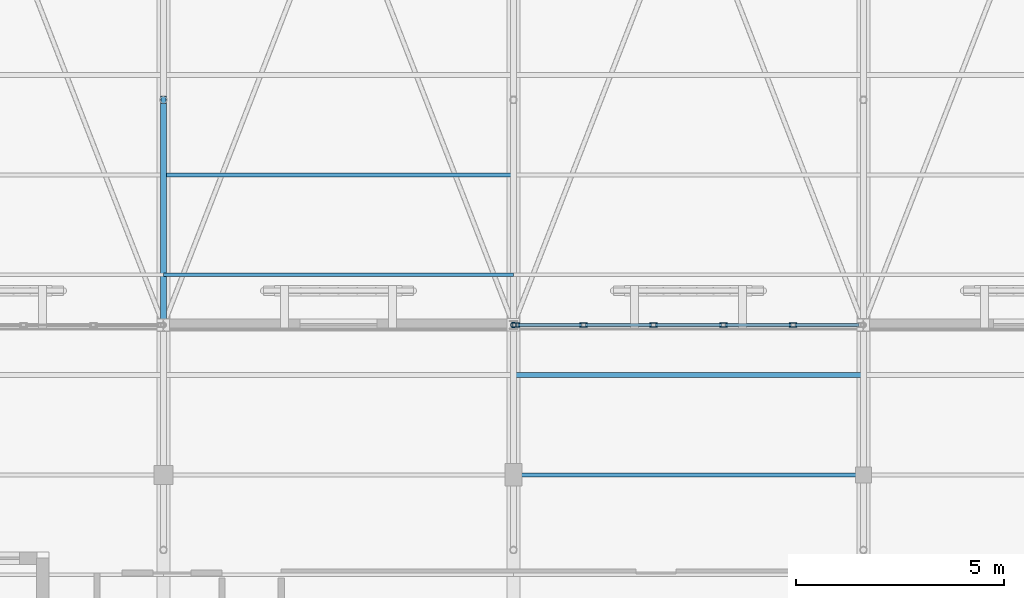
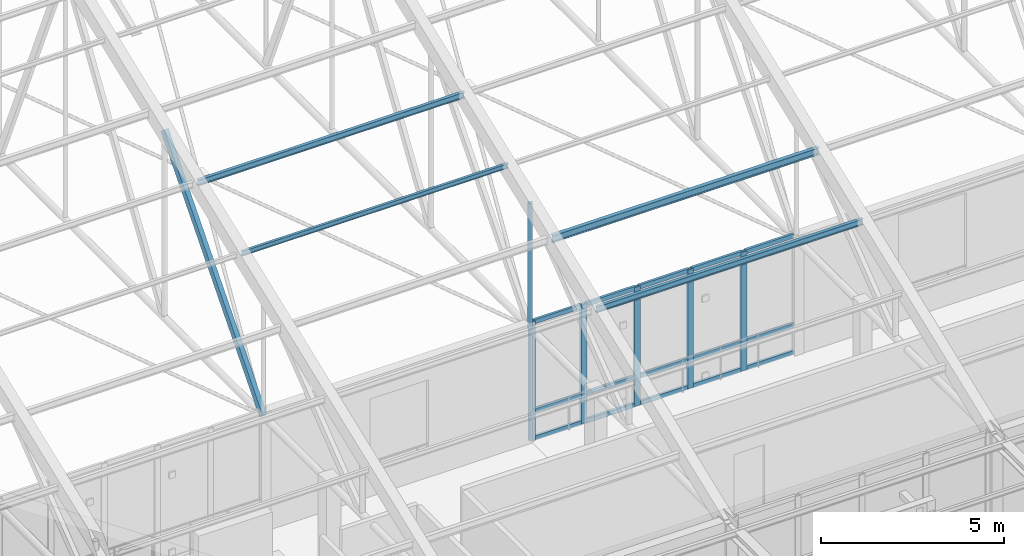
# One storey, part 90 of 217: 26 members, 1 element without a shape of its own.
"""IFC4 building model written with IfcOpenShell, lengths in metres."""

import ifcopenshell
import ifcopenshell.guid

model = None  # the IFC model being written
_history = None  # IfcOwnerHistory: only IFC2X3 demands one
_inside = {}  # id of a spatial element -> (the spatial element, [elements in it])
_under = {}  # id of a project, library or spatial element -> (it, [spatial elements below it])
_declared = {}  # id of a project -> (the project, [libraries it declares])
_typed = {}  # id of a type object -> (the type object, [elements of that type])
_made_of = {}  # id of a material, layer set ... -> (it, [elements and type objects made of it])


def new_model(schema):
    """Start an empty IFC model of exactly this schema.

    Asked for "IFC4X3", IfcOpenShell would pick the latest addendum, in which some entities
    have other attributes; the version numbers below select the first issue.
    IFC2X3 requires an IfcOwnerHistory on every rooted entity: one is made here for all.
    """
    global model, _history
    if schema == "IFC4X3":
        model = ifcopenshell.file(schema_version=(4, 3, 0, 0))
    else:
        model = ifcopenshell.file(schema=schema)
    _inside.clear()
    _under.clear()
    _declared.clear()
    _typed.clear()
    _made_of.clear()
    _history = None
    if model.schema == "IFC2X3":
        org = make("IfcOrganization", Name="unknown")
        user = make(
            "IfcPersonAndOrganization",
            ThePerson=make("IfcPerson", FamilyName="unknown"),
            TheOrganization=org,
        )
        app = make(
            "IfcApplication",
            ApplicationDeveloper=org,
            Version="unknown",
            ApplicationFullName="unknown",
            ApplicationIdentifier="unknown",
        )
        _history = make(
            "IfcOwnerHistory",
            OwningUser=user,
            OwningApplication=app,
            ChangeAction="ADDED",
            CreationDate=0,
        )
    return model


def make(cls, **values):
    """One entity of the class cls with the attributes given. An attribute that is None is left unset."""
    return model.create_entity(
        cls, **{name: value for name, value in values.items() if value is not None}
    )


def rooted(cls, **values):
    """An entity with a GlobalId (a new one), such as an element, a storey or a relation."""
    return make(cls, GlobalId=ifcopenshell.guid.new(), OwnerHistory=_history, **values)


def si_unit(unit_type, name, prefix=None):
    """IfcSIUnit, for example si_unit("LENGTHUNIT", "METRE", prefix="MILLI")."""
    return make("IfcSIUnit", UnitType=unit_type, Prefix=prefix, Name=name)


def assignment(units):
    """IfcUnitAssignment: the units of a project."""
    return None if units is None else make("IfcUnitAssignment", Units=units)


def point(xyz):
    """IfcCartesianPoint."""
    return None if xyz is None else make("IfcCartesianPoint", Coordinates=xyz)


def direction(xyz):
    """IfcDirection."""
    return None if xyz is None else make("IfcDirection", DirectionRatios=xyz)


def frame(location, z_axis=None, x_axis=None):
    """IfcAxis2Placement3D, a coordinate frame: its origin and axes. An axis left out is left unset."""
    return make(
        "IfcAxis2Placement3D",
        Location=point(location),
        Axis=direction(z_axis),
        RefDirection=direction(x_axis),
    )


def frame_2d(location, x_axis=None):
    """IfcAxis2Placement2D, a coordinate frame in the plane: its origin and x axis."""
    return make(
        "IfcAxis2Placement2D", Location=point(location), RefDirection=direction(x_axis)
    )


def origin():
    """The frame at (0, 0, 0) with its axes left unset."""
    return frame((0.0, 0.0, 0.0))


def origin_2d():
    """The frame at (0, 0) in the plane with its x axis left unset."""
    return frame_2d((0.0, 0.0))


def place(relative_to, where):
    """IfcLocalPlacement: puts the frame where relative to a parent placement (None: the world)."""
    return make(
        "IfcLocalPlacement", PlacementRelTo=relative_to, RelativePlacement=where
    )


def context(
    kind, dimensions, precision=None, world=None, true_north=None, identifier=None
):
    """IfcGeometricRepresentationContext, for example the 3D "Model" context."""
    return make(
        "IfcGeometricRepresentationContext",
        ContextIdentifier=identifier,
        ContextType=kind,
        CoordinateSpaceDimension=dimensions,
        Precision=precision,
        WorldCoordinateSystem=world,
        TrueNorth=true_north,
    )


def subcontext(parent, identifier, kind, view, scale=None):
    """IfcGeometricRepresentationSubContext, for example "Body" below "Model"."""
    return make(
        "IfcGeometricRepresentationSubContext",
        ContextIdentifier=identifier,
        ContextType=kind,
        ParentContext=parent,
        TargetScale=scale,
        TargetView=view,
    )


def project(units=None, contexts=None):
    """IfcProject with its units and contexts."""
    return rooted(
        "IfcProject",
        Name="project",
        RepresentationContexts=contexts,
        UnitsInContext=assignment(units),
    )


def spatial(cls, under=None, at=None, **own):
    """A site, building, storey or space (cls), placed at a placement, below another one or the project."""
    s = rooted(cls, ObjectPlacement=at, **own)
    if under is not None:
        _under.setdefault(under.id(), (under, []))[1].append(s)
    return s


def profile(cls, at=None, kind="AREA", **sizes):
    """A parametric profile (cls). Its sizes go by their IFC names, for example OverallWidth=200.0."""
    return make(cls, ProfileType=kind, Position=at, **sizes)


def hollow_rectangle(**sizes):
    """IfcRectangleHollowProfileDef."""
    return profile("IfcRectangleHollowProfileDef", **sizes)


def hollow_circle(**sizes):
    """IfcCircleHollowProfileDef."""
    return profile("IfcCircleHollowProfileDef", **sizes)


def i_section(**sizes):
    """IfcIShapeProfileDef."""
    return profile("IfcIShapeProfileDef", **sizes)


def extrude(swept, where, along, depth):
    """IfcExtrudedAreaSolid: the profile swept, set in the frame where, extruded along a direction by depth."""
    return make(
        "IfcExtrudedAreaSolid",
        SweptArea=swept,
        Position=where,
        ExtrudedDirection=direction(along),
        Depth=depth,
    )


def shape(context_of_items, identifier, shape_type, items):
    """IfcShapeRepresentation: the items that make up one representation, for example the "Body"."""
    return make(
        "IfcShapeRepresentation",
        ContextOfItems=context_of_items,
        RepresentationIdentifier=identifier,
        RepresentationType=shape_type,
        Items=items,
    )


def material(Name=None, Category=None):
    """IfcMaterial."""
    return make("IfcMaterial", Name=Name, Category=Category)


def layer(
    of_material, thickness, ventilated=None, Name=None, Category=None, Priority=None
):
    """IfcMaterialLayer: one layer of a wall or slab, of a material (None: an air gap)."""
    return make(
        "IfcMaterialLayer",
        Material=of_material,
        LayerThickness=thickness,
        IsVentilated=ventilated,
        Name=Name,
        Category=Category,
        Priority=Priority,
    )


def layer_set(layers, Name=None):
    """IfcMaterialLayerSet."""
    return make("IfcMaterialLayerSet", MaterialLayers=layers, LayerSetName=Name)


def material_profile(
    of_material, cross_section, Name=None, Category=None, Priority=None
):
    """IfcMaterialProfile: a cross section and its material."""
    return make(
        "IfcMaterialProfile",
        Name=Name,
        Material=of_material,
        Profile=cross_section,
        Priority=Priority,
        Category=Category,
    )


def profile_set(profiles, Name=None, composite=None):
    """IfcMaterialProfileSet."""
    return make(
        "IfcMaterialProfileSet",
        Name=Name,
        MaterialProfiles=profiles,
        CompositeProfile=composite,
    )


def made_of(thing, what):
    """Note that an element or type object is made of a material, layer set ...; save() writes the relation."""
    if what is not None:
        _made_of.setdefault(what.id(), (what, []))[1].append(thing)
    return thing


def type_object(cls, material=None, **own):
    """A type object (cls), such as IfcWallType, which elements share."""
    return made_of(rooted(cls, **own), material)


def element(
    cls,
    number,
    at=None,
    inside=None,
    cuts=None,
    type_object=None,
    material=None,
    context=None,
    identifier="Body",
    shape_type=None,
    held_by="IfcProductDefinitionShape",
    body=None,
    shapes=None,
    **own,
):
    """One element of the class cls, such as IfcWall. Its Tag is "e" and its number.

    at: its placement. inside: the storey or other place that contains it. cuts: it is an
    opening in that element (IfcRelVoidsElement). A single representation is given by context,
    identifier, shape_type and body (its items); several are given by shapes. held_by: the class
    of the entity that holds the representations. save() writes the other relations.
    """
    e = rooted(cls, Tag="e%d" % number, ObjectPlacement=at, **own)
    if body is not None:
        shapes = [shape(context, identifier, shape_type, body)]
    if shapes is not None:
        e.Representation = make(held_by, Representations=shapes)
    if inside is not None:
        _inside.setdefault(inside.id(), (inside, []))[1].append(e)
    if cuts is not None:
        rooted(
            "IfcRelVoidsElement", RelatingBuildingElement=cuts, RelatedOpeningElement=e
        )
    if type_object is not None:
        _typed.setdefault(type_object.id(), (type_object, []))[1].append(e)
    return made_of(e, material)


def aggregate(whole, parts):
    """IfcRelAggregates: a whole, such as a stair, and the parts it consists of."""
    return rooted("IfcRelAggregates", RelatingObject=whole, RelatedObjects=parts)


def save(model, path):
    """Write the relations noted so far, then the file.

    IfcRelAggregates (storeys below a building ...), IfcRelContainedInSpatialStructure (elements
    in a storey), IfcRelDefinesByType, IfcRelAssociatesMaterial and IfcRelDeclares: one each for
    every whole, place, type object, material and project.
    """
    for whole, parts in _under.values():
        aggregate(whole, parts)
    for where, things in _inside.values():
        rooted(
            "IfcRelContainedInSpatialStructure",
            RelatedElements=things,
            RelatingStructure=where,
        )
    for kind, things in _typed.values():
        rooted("IfcRelDefinesByType", RelatedObjects=things, RelatingType=kind)
    for what, things in _made_of.values():
        rooted("IfcRelAssociatesMaterial", RelatedObjects=things, RelatingMaterial=what)
    for by, libraries in _declared.values():
        rooted("IfcRelDeclares", RelatingContext=by, RelatedDefinitions=libraries)
    model.write(path)


model = new_model("IFC4")

# Units and contexts
model_context = context("Model", 3, precision=1e-05, world=origin(), true_north=direction((0.0, 1.0)))
body_context = subcontext(model_context, "Body", "Model", "MODEL_VIEW")
ifc_project = project(units=[si_unit("LENGTHUNIT", "METRE"), si_unit("AREAUNIT", "SQUARE_METRE"), si_unit("VOLUMEUNIT", "CUBIC_METRE"), si_unit("PLANEANGLEUNIT", "RADIAN"), si_unit("MASSUNIT", "GRAM", prefix="KILO")], contexts=[model_context])

# Site, building, storey
site_placement = place(None, origin())
site = spatial("IfcSite", under=ifc_project, at=site_placement, CompositionType="ELEMENT")
building_placement = place(site_placement, origin())
building = spatial("IfcBuilding", under=site, at=building_placement, Name="Mazaris Harbour Polytechnic", CompositionType="ELEMENT")
storey_placement = place(building_placement, frame((0.0, 0.0, 9.60009765625)))
storey = spatial("IfcBuildingStorey", under=building, at=storey_placement, Name="L02", CompositionType="ELEMENT", Elevation=9.60009765625)

# Curtain wall, members
ifc_material_1 = material(Name="Anodised Bronze Aluminium and Low-E Glass", Category="aluminium")
ifc_layer = layer(ifc_material_1, 0.14990234375, Name="Anodised Bronze Aluminium and Low-E Glass")
ifc_layer_set = layer_set([ifc_layer], Name="Anodised Bronze Aluminium and Low-E Glass")
curtain_wall_type = type_object("IfcCurtainWallType", Name="Workshop Clerestory Curtain Wall", PredefinedType="NOTDEFINED", material=ifc_layer_set)
curtain_wall_placement = place(storey_placement, origin())
curtain_wall = element("IfcCurtainWall", 1, at=curtain_wall_placement, inside=storey, type_object=curtain_wall_type, Name="V1 L02 Curtain Wall 31", PredefinedType="NOTDEFINED")
ifc_material_2 = material(Name="Anodised Bronze Steel S355", Category="steel")
ifc_material_profile_1 = material_profile(ifc_material_2, hollow_rectangle(XDim=0.10009765625, YDim=0.179931640625, WallThickness=0.008056640625, at=origin_2d()), Name="RHS 100x180x8.0")
ifc_profile_set_1 = profile_set([ifc_material_profile_1], Name="Anodised Bronze Steel S355")
member_type_1 = type_object("IfcMemberType", Name="Curtain Mullion RHS100x180", PredefinedType="MULLION", material=ifc_profile_set_1)
member_1_placement = place(storey_placement, frame((87.657958984375, 86.39990234375, 0.0), z_axis=(0.0, 0.0, 1.0), x_axis=(0.0, 1.0, 0.0)))
member_1 = element("IfcMember", 2, at=member_1_placement, type_object=member_type_1, Name="CW-04 mullion 1", PredefinedType="MULLION", context=body_context, shape_type="SweptSolid", body=[
    extrude(hollow_rectangle(XDim=0.10009765625, YDim=0.179931640625, WallThickness=0.008056640625, at=origin_2d()), origin(), (0.0, 0.0, 1.0), 3.9599609375),
])
member_2_placement = place(storey_placement, frame((89.284912109375, 86.39990234375, 0.0), z_axis=(0.0, 0.0, 1.0), x_axis=(0.0, 1.0, 0.0)))
member_2 = element("IfcMember", 3, at=member_2_placement, type_object=member_type_1, Name="CW-04 mullion 2", PredefinedType="MULLION", context=body_context, shape_type="SweptSolid", body=[
    extrude(hollow_rectangle(XDim=0.10009765625, YDim=0.179931640625, WallThickness=0.008056640625, at=origin_2d()), origin(), (0.0, 0.0, 1.0), 3.9599609375),
])
member_3_placement = place(storey_placement, frame((90.961669921875, 86.39990234375, 0.0), z_axis=(0.0, 0.0, 1.0), x_axis=(0.0, 1.0, 0.0)))
member_3 = element("IfcMember", 4, at=member_3_placement, type_object=member_type_1, Name="CW-04 mullion 3", PredefinedType="MULLION", context=body_context, shape_type="SweptSolid", body=[
    extrude(hollow_rectangle(XDim=0.10009765625, YDim=0.179931640625, WallThickness=0.008056640625, at=origin_2d()), origin(), (0.0, 0.0, 1.0), 3.9599609375),
])
member_4_placement = place(storey_placement, frame((92.638427734375, 86.39990234375, 0.0), z_axis=(0.0, 0.0, 1.0), x_axis=(0.0, 1.0, 0.0)))
member_4 = element("IfcMember", 5, at=member_4_placement, type_object=member_type_1, Name="CW-04 mullion 4", PredefinedType="MULLION", context=body_context, shape_type="SweptSolid", body=[
    extrude(hollow_rectangle(XDim=0.10009765625, YDim=0.179931640625, WallThickness=0.008056640625, at=origin_2d()), origin(), (0.0, 0.0, 1.0), 3.9599609375),
])
member_5_placement = place(storey_placement, frame((94.315185546875, 86.39990234375, 0.0), z_axis=(0.0, 0.0, 1.0), x_axis=(0.0, 1.0, 0.0)))
member_5 = element("IfcMember", 6, at=member_5_placement, type_object=member_type_1, Name="CW-04 mullion 5", PredefinedType="MULLION", context=body_context, shape_type="SweptSolid", body=[
    extrude(hollow_rectangle(XDim=0.10009765625, YDim=0.179931640625, WallThickness=0.008056640625, at=origin_2d()), origin(), (0.0, 0.0, 1.0), 3.9599609375),
])
ifc_material_3 = material(Name="Anodised Bronze Steel S355", Category="steel")
ifc_material_profile_2 = material_profile(ifc_material_3, hollow_rectangle(XDim=0.080078125, YDim=0.139892578125, WallThickness=0.00634765625, at=origin_2d()), Name="RHS 80x140x6.3")
ifc_profile_set_2 = profile_set([ifc_material_profile_2], Name="Anodised Bronze Steel S355")
member_type_2 = type_object("IfcMemberType", Name="Curtain Transom RHS80x140", PredefinedType="USERDEFINED", material=ifc_profile_set_2)
member_6_placement = place(storey_placement, frame((87.7080078125, 86.39990234375, 0.039794921875), z_axis=(1.0, 0.0, 0.0), x_axis=(0.0, 1.0, 0.0)))
member_6 = element("IfcMember", 7, at=member_6_placement, type_object=member_type_2, Name="CW-04 transom 1.1", ObjectType="TRANSOM", PredefinedType="USERDEFINED", context=body_context, shape_type="SweptSolid", body=[
    extrude(hollow_rectangle(XDim=0.080078125, YDim=0.139892578125, WallThickness=0.00634765625, at=origin_2d()), origin(), (0.0, 0.0, 1.0), 1.52685546875),
])
member_7_placement = place(storey_placement, frame((87.7080078125, 86.39990234375, 0.949951171875), z_axis=(1.0, 0.0, 0.0), x_axis=(0.0, 1.0, 0.0)))
member_7 = element("IfcMember", 8, at=member_7_placement, type_object=member_type_2, Name="CW-04 transom 1.2", ObjectType="TRANSOM", PredefinedType="USERDEFINED", context=body_context, shape_type="SweptSolid", body=[
    extrude(hollow_rectangle(XDim=0.080078125, YDim=0.139892578125, WallThickness=0.00634765625, at=origin_2d()), origin(), (0.0, 0.0, 1.0), 1.52685546875),
])
member_8_placement = place(storey_placement, frame((87.7080078125, 86.39990234375, 3.919921875), z_axis=(1.0, 0.0, 0.0), x_axis=(0.0, 1.0, 0.0)))
member_8 = element("IfcMember", 9, at=member_8_placement, type_object=member_type_2, Name="CW-04 transom 1.3", ObjectType="TRANSOM", PredefinedType="USERDEFINED", context=body_context, shape_type="SweptSolid", body=[
    extrude(hollow_rectangle(XDim=0.080078125, YDim=0.139892578125, WallThickness=0.00634765625, at=origin_2d()), origin(), (0.0, 0.0, 1.0), 1.52685546875),
])
member_9_placement = place(storey_placement, frame((89.334716796875, 86.39990234375, 0.039794921875), z_axis=(1.0, 0.0, 0.0), x_axis=(0.0, 1.0, 0.0)))
member_9 = element("IfcMember", 10, at=member_9_placement, type_object=member_type_2, Name="CW-04 transom 2.1", ObjectType="TRANSOM", PredefinedType="USERDEFINED", context=body_context, shape_type="SweptSolid", body=[
    extrude(hollow_rectangle(XDim=0.080078125, YDim=0.139892578125, WallThickness=0.00634765625, at=origin_2d()), origin(), (0.0, 0.0, 1.0), 1.576904296875),
])
member_10_placement = place(storey_placement, frame((89.334716796875, 86.39990234375, 0.949951171875), z_axis=(1.0, 0.0, 0.0), x_axis=(0.0, 1.0, 0.0)))
member_10 = element("IfcMember", 11, at=member_10_placement, type_object=member_type_2, Name="CW-04 transom 2.2", ObjectType="TRANSOM", PredefinedType="USERDEFINED", context=body_context, shape_type="SweptSolid", body=[
    extrude(hollow_rectangle(XDim=0.080078125, YDim=0.139892578125, WallThickness=0.00634765625, at=origin_2d()), origin(), (0.0, 0.0, 1.0), 1.576904296875),
])
member_11_placement = place(storey_placement, frame((89.334716796875, 86.39990234375, 3.919921875), z_axis=(1.0, 0.0, 0.0), x_axis=(0.0, 1.0, 0.0)))
member_11 = element("IfcMember", 12, at=member_11_placement, type_object=member_type_2, Name="CW-04 transom 2.3", ObjectType="TRANSOM", PredefinedType="USERDEFINED", context=body_context, shape_type="SweptSolid", body=[
    extrude(hollow_rectangle(XDim=0.080078125, YDim=0.139892578125, WallThickness=0.00634765625, at=origin_2d()), origin(), (0.0, 0.0, 1.0), 1.576904296875),
])
member_12_placement = place(storey_placement, frame((91.01171875, 86.39990234375, 0.039794921875), z_axis=(1.0, 0.0, 0.0), x_axis=(0.0, 1.0, 0.0)))
member_12 = element("IfcMember", 13, at=member_12_placement, type_object=member_type_2, Name="CW-04 transom 3.1", ObjectType="TRANSOM", PredefinedType="USERDEFINED", context=body_context, shape_type="SweptSolid", body=[
    extrude(hollow_rectangle(XDim=0.080078125, YDim=0.139892578125, WallThickness=0.00634765625, at=origin_2d()), origin(), (0.0, 0.0, 1.0), 1.57666015625),
])
member_13_placement = place(storey_placement, frame((91.01171875, 86.39990234375, 0.949951171875), z_axis=(1.0, 0.0, 0.0), x_axis=(0.0, 1.0, 0.0)))
member_13 = element("IfcMember", 14, at=member_13_placement, type_object=member_type_2, Name="CW-04 transom 3.2", ObjectType="TRANSOM", PredefinedType="USERDEFINED", context=body_context, shape_type="SweptSolid", body=[
    extrude(hollow_rectangle(XDim=0.080078125, YDim=0.139892578125, WallThickness=0.00634765625, at=origin_2d()), origin(), (0.0, 0.0, 1.0), 1.57666015625),
])
member_14_placement = place(storey_placement, frame((91.01171875, 86.39990234375, 3.919921875), z_axis=(1.0, 0.0, 0.0), x_axis=(0.0, 1.0, 0.0)))
member_14 = element("IfcMember", 15, at=member_14_placement, type_object=member_type_2, Name="CW-04 transom 3.3", ObjectType="TRANSOM", PredefinedType="USERDEFINED", context=body_context, shape_type="SweptSolid", body=[
    extrude(hollow_rectangle(XDim=0.080078125, YDim=0.139892578125, WallThickness=0.00634765625, at=origin_2d()), origin(), (0.0, 0.0, 1.0), 1.57666015625),
])
member_15_placement = place(storey_placement, frame((92.6884765625, 86.39990234375, 0.039794921875), z_axis=(1.0, 0.0, 0.0), x_axis=(0.0, 1.0, 0.0)))
member_15 = element("IfcMember", 16, at=member_15_placement, type_object=member_type_2, Name="CW-04 transom 4.1", ObjectType="TRANSOM", PredefinedType="USERDEFINED", context=body_context, shape_type="SweptSolid", body=[
    extrude(hollow_rectangle(XDim=0.080078125, YDim=0.139892578125, WallThickness=0.00634765625, at=origin_2d()), origin(), (0.0, 0.0, 1.0), 1.57666015625),
])
member_16_placement = place(storey_placement, frame((92.6884765625, 86.39990234375, 0.949951171875), z_axis=(1.0, 0.0, 0.0), x_axis=(0.0, 1.0, 0.0)))
member_16 = element("IfcMember", 17, at=member_16_placement, type_object=member_type_2, Name="CW-04 transom 4.2", ObjectType="TRANSOM", PredefinedType="USERDEFINED", context=body_context, shape_type="SweptSolid", body=[
    extrude(hollow_rectangle(XDim=0.080078125, YDim=0.139892578125, WallThickness=0.00634765625, at=origin_2d()), origin(), (0.0, 0.0, 1.0), 1.57666015625),
])
member_17_placement = place(storey_placement, frame((92.6884765625, 86.39990234375, 3.919921875), z_axis=(1.0, 0.0, 0.0), x_axis=(0.0, 1.0, 0.0)))
member_17 = element("IfcMember", 18, at=member_17_placement, type_object=member_type_2, Name="CW-04 transom 4.3", ObjectType="TRANSOM", PredefinedType="USERDEFINED", context=body_context, shape_type="SweptSolid", body=[
    extrude(hollow_rectangle(XDim=0.080078125, YDim=0.139892578125, WallThickness=0.00634765625, at=origin_2d()), origin(), (0.0, 0.0, 1.0), 1.57666015625),
])
member_18_placement = place(storey_placement, frame((94.365234375, 86.39990234375, 0.039794921875), z_axis=(1.0, 0.0, 0.0), x_axis=(0.0, 1.0, 0.0)))
member_18 = element("IfcMember", 19, at=member_18_placement, type_object=member_type_2, Name="CW-04 transom 5.1", ObjectType="TRANSOM", PredefinedType="USERDEFINED", context=body_context, shape_type="SweptSolid", body=[
    extrude(hollow_rectangle(XDim=0.080078125, YDim=0.139892578125, WallThickness=0.00634765625, at=origin_2d()), origin(), (0.0, 0.0, 1.0), 1.52685546875),
])
member_19_placement = place(storey_placement, frame((94.365234375, 86.39990234375, 0.949951171875), z_axis=(1.0, 0.0, 0.0), x_axis=(0.0, 1.0, 0.0)))
member_19 = element("IfcMember", 20, at=member_19_placement, type_object=member_type_2, Name="CW-04 transom 5.2", ObjectType="TRANSOM", PredefinedType="USERDEFINED", context=body_context, shape_type="SweptSolid", body=[
    extrude(hollow_rectangle(XDim=0.080078125, YDim=0.139892578125, WallThickness=0.00634765625, at=origin_2d()), origin(), (0.0, 0.0, 1.0), 1.52685546875),
])
member_20_placement = place(storey_placement, frame((94.365234375, 86.39990234375, 3.919921875), z_axis=(1.0, 0.0, 0.0), x_axis=(0.0, 1.0, 0.0)))
member_20 = element("IfcMember", 21, at=member_20_placement, type_object=member_type_2, Name="CW-04 transom 5.3", ObjectType="TRANSOM", PredefinedType="USERDEFINED", context=body_context, shape_type="SweptSolid", body=[
    extrude(hollow_rectangle(XDim=0.080078125, YDim=0.139892578125, WallThickness=0.00634765625, at=origin_2d()), origin(), (0.0, 0.0, 1.0), 1.52685546875),
])
aggregate(curtain_wall, [member_1, member_2, member_3, member_4, member_5, member_6, member_7, member_8, member_9, member_10, member_11, member_12, member_13, member_14, member_15, member_16, member_17, member_18, member_19, member_20])

# Members
ifc_material_4 = material(Name="Steel S355", Category="steel")
ifc_material_profile_3 = material_profile(ifc_material_4, i_section(OverallWidth=0.08203125, OverallDepth=0.159912109375, WebThickness=0.0048828125, FlangeThickness=0.00732421875, FilletRadius=0.009033203125, at=origin_2d()), Name="IPE 160")
ifc_profile_set_3 = profile_set([ifc_material_profile_3], Name="Steel S355")
member_type_3 = type_object("IfcMemberType", Name="Steel Purlin IPE160", PredefinedType="PURLIN", material=ifc_profile_set_3)
member_21_placement = place(storey_placement, frame((79.199951171875, 87.60009765625, 8.43798828125), z_axis=(1.0, 0.0, 0.0), x_axis=(0.0, 1.0, 0.0)))
element("IfcMember", 22, at=member_21_placement, inside=storey, type_object=member_type_3, Name="V1 Roof Purlin S-72", PredefinedType="PURLIN", context=body_context, shape_type="SweptSolid", body=[
    extrude(i_section(OverallWidth=0.08203125, OverallDepth=0.159912109375, WebThickness=0.0048828125, FlangeThickness=0.00732421875, FilletRadius=0.009033203125, at=origin_2d()), origin(), (0.0, 0.0, 1.0), 8.400146484375),
])
ifc_material_5 = material(Name="Steel S355", Category="steel")
ifc_material_profile_4 = material_profile(ifc_material_5, i_section(OverallWidth=0.10009765625, OverallDepth=0.199951171875, WebThickness=0.005615234375, FlangeThickness=0.008544921875, FilletRadius=0.011962890625, at=origin_2d()), Name="IPE 200")
ifc_profile_set_4 = profile_set([ifc_material_profile_4], Name="Steel S355")
member_type_4 = type_object("IfcMemberType", Name="Steel Purlin IPE200", PredefinedType="PURLIN", material=ifc_profile_set_4)
member_22_placement = place(storey_placement, frame((79.199951171875, 90.0, 9.344970703125), z_axis=(1.0, 0.0, 0.0), x_axis=(0.0, 1.0, 0.0)))
element("IfcMember", 23, at=member_22_placement, inside=storey, type_object=member_type_4, Name="V1 Roof Purlin S-73", PredefinedType="PURLIN", context=body_context, shape_type="SweptSolid", body=[
    extrude(i_section(OverallWidth=0.10009765625, OverallDepth=0.199951171875, WebThickness=0.005615234375, FlangeThickness=0.008544921875, FilletRadius=0.011962890625, at=origin_2d()), origin(), (0.0, 0.0, 1.0), 8.400146484375),
])
member_23_placement = place(storey_placement, frame((87.60009765625, 82.800048828125, 6.544921875), z_axis=(1.0, 0.0, 0.0), x_axis=(0.0, 1.0, 0.0)))
element("IfcMember", 24, at=member_23_placement, inside=storey, type_object=member_type_4, Name="V1 Roof Purlin S-91", PredefinedType="PURLIN", context=body_context, shape_type="SweptSolid", body=[
    extrude(i_section(OverallWidth=0.10009765625, OverallDepth=0.199951171875, WebThickness=0.005615234375, FlangeThickness=0.008544921875, FilletRadius=0.011962890625, at=origin_2d()), origin(), (0.0, 0.0, 1.0), 8.39990234375),
])
ifc_material_6 = material(Name="Steel S355", Category="steel")
ifc_material_profile_5 = material_profile(ifc_material_6, i_section(OverallWidth=0.1201171875, OverallDepth=0.239990234375, WebThickness=0.006103515625, FlangeThickness=0.009765625, FilletRadius=0.014892578125, at=origin_2d()), Name="IPE 240")
ifc_profile_set_5 = profile_set([ifc_material_profile_5], Name="Steel S355")
member_type_5 = type_object("IfcMemberType", Name="Steel Purlin IPE240", PredefinedType="PURLIN", material=ifc_profile_set_5)
member_24_placement = place(storey_placement, frame((87.60009765625, 85.199951171875, 7.451171875), z_axis=(1.0, 0.0, 0.0), x_axis=(0.0, 1.0, 0.0)))
element("IfcMember", 25, at=member_24_placement, inside=storey, type_object=member_type_5, Name="V1 Roof Purlin S-92", PredefinedType="PURLIN", context=body_context, shape_type="SweptSolid", body=[
    extrude(i_section(OverallWidth=0.1201171875, OverallDepth=0.239990234375, WebThickness=0.006103515625, FlangeThickness=0.009765625, FilletRadius=0.014892578125, at=origin_2d()), origin(), (0.0, 0.0, 1.0), 8.39990234375),
])
ifc_material_7 = material(Name="Steel S355", Category="steel")
ifc_material_profile_6 = material_profile(ifc_material_7, hollow_rectangle(XDim=0.139892578125, YDim=0.239990234375, WallThickness=0.010009765625, at=origin_2d()), Name="RHS 140x240x10.0")
ifc_profile_set_6 = profile_set([ifc_material_profile_6], Name="Steel S355")
member_type_6 = type_object("IfcMemberType", Name="Steel Truss Diagonal RHS140x240", PredefinedType="BRACE", material=ifc_profile_set_6)
member_25_placement = place(storey_placement, frame((79.199951171875, 86.39990234375, 3.75), z_axis=(0.0, 0.653042406465, 0.757321342205), x_axis=(-1.0, 0.0, 0.0)))
element("IfcMember", 26, at=member_25_placement, inside=storey, type_object=member_type_6, Name="Truss 4 Web Diagonal S3", PredefinedType="BRACE", context=body_context, shape_type="SweptSolid", body=[
    extrude(hollow_rectangle(XDim=0.139892578125, YDim=0.239990234375, WallThickness=0.010009765625, at=origin_2d()), origin(), (0.0, 0.0, 1.0), 8.269287109375),
])
ifc_material_8 = material(Name="Steel S355", Category="steel")
ifc_material_profile_7 = material_profile(ifc_material_8, hollow_circle(Radius=0.06982421875, WallThickness=0.008056640625, at=origin_2d()), Name="CHS 139.7x8.0")
ifc_profile_set_7 = profile_set([ifc_material_profile_7], Name="Steel S355")
member_type_7 = type_object("IfcMemberType", Name="Steel Truss Strut CHS139", PredefinedType="STRUT", material=ifc_profile_set_7)
member_26_placement = place(storey_placement, frame((87.60009765625, 86.39990234375, 3.75), z_axis=(0.0, 0.0, 1.0), x_axis=(1.0, 0.0, 0.0)))
element("IfcMember", 27, at=member_26_placement, inside=storey, type_object=member_type_7, Name="Truss 5 Web Post S2", PredefinedType="STRUT", context=body_context, shape_type="SweptSolid", body=[
    extrude(hollow_circle(Radius=0.06982421875, WallThickness=0.008056640625, at=origin_2d()), origin(), (0.0, 0.0, 1.0), 4.1748046875),
])

save(model, "model.ifc")
